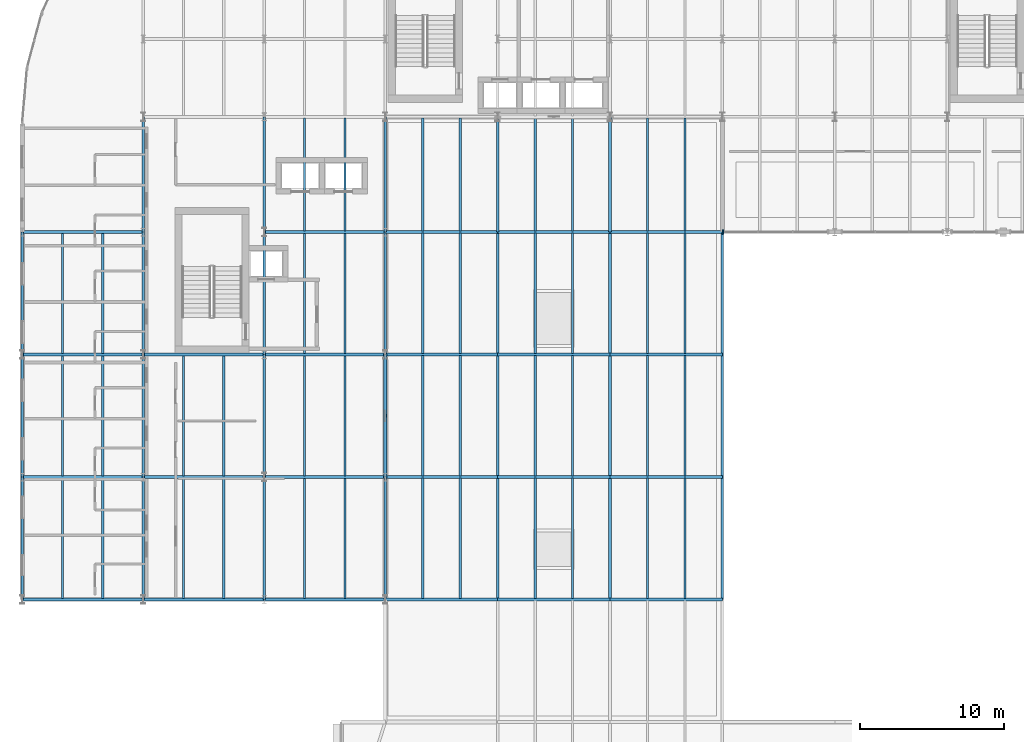
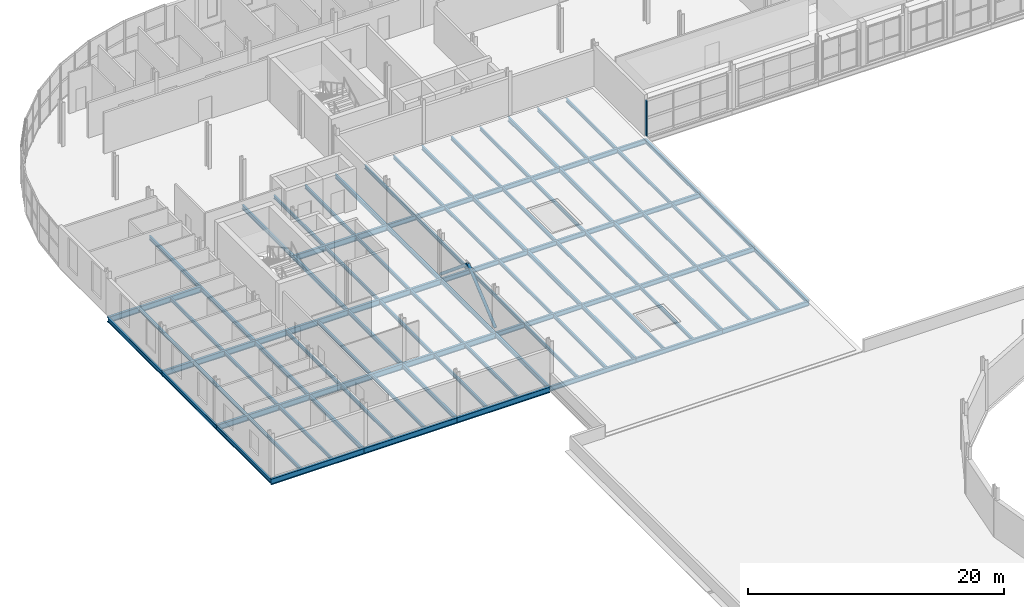
# One storey, part 18 of 58: 91 beams, 3 members, 1 element without a shape of its own.
"""IFC4 building model written with IfcOpenShell, lengths in metres."""

from ifc_helpers import new_model, si_unit, direction, frame, origin, origin_2d, place, context, subcontext, project, spatial, rectangle, hollow_circle, i_section, extrude, material, layer, layer_set, material_profile, profile_set, type_object, element, aggregate, save


model = new_model("IFC4")

# Units and contexts
model_context = context("Model", 3, precision=1e-05, world=origin(), true_north=direction((0.0, 1.0)))
body_context = subcontext(model_context, "Body", "Model", "MODEL_VIEW")
ifc_project = project(units=[si_unit("LENGTHUNIT", "METRE"), si_unit("AREAUNIT", "SQUARE_METRE"), si_unit("VOLUMEUNIT", "CUBIC_METRE"), si_unit("PLANEANGLEUNIT", "RADIAN"), si_unit("MASSUNIT", "GRAM", prefix="KILO")], contexts=[model_context])

# Site, building, storey
site_placement = place(None, origin())
site = spatial("IfcSite", under=ifc_project, at=site_placement, CompositionType="ELEMENT")
building_placement = place(site_placement, origin())
building = spatial("IfcBuilding", under=site, at=building_placement, Name="Sefraquen Railside Congress Hotel", CompositionType="ELEMENT")
storey_placement = place(building_placement, frame((0.0, 0.0, 16.199951171875)))
storey = spatial("IfcBuildingStorey", under=building, at=storey_placement, Name="L03", CompositionType="ELEMENT", Elevation=16.199951171875)

# Beams
ifc_material_1 = material(Name="Steel S355JR", Category="steel")
ifc_material_profile_1 = material_profile(ifc_material_1, i_section(OverallWidth=0.179931640625, OverallDepth=0.39990234375, WebThickness=0.008544921875, FlangeThickness=0.013427734375, FilletRadius=0.02099609375, at=origin_2d()), Name="IPE 400")
ifc_profile_set_1 = profile_set([ifc_material_profile_1], Name="Steel S355JR")
beam_type_1 = type_object("IfcBeamType", Name="TB-BM-400I", PredefinedType="BEAM", material=ifc_profile_set_1)
for number, where, z_axis, x_axis, name in (
    (1, (0.0, 62.5, -0.47998046875), (0.0, 1.0, 0.0), (-1.0, 0.0, 0.0), "Floor beam BM-L03-1129"),
    (2, (0.0, 71.0, -0.47998046875), (0.0, 1.0, 0.0), (-1.0, 0.0, 0.0), "Floor beam BM-L03-1130"),
    (3, (0.0, 79.5, -0.47998046875), (0.0, 1.0, 0.0), (-1.0, 0.0, 0.0), "Floor beam BM-L03-1131"),
    (4, (8.39990234375, 62.5, -0.47998046875), (0.0, 1.0, 0.0), (-1.0, 0.0, 0.0), "Floor beam BM-L03-1132"),
    (5, (8.39990234375, 71.0, -0.47998046875), (0.0, 1.0, 0.0), (-1.0, 0.0, 0.0), "Floor beam BM-L03-1133"),
    (6, (8.39990234375, 79.5, -0.47998046875), (0.0, 1.0, 0.0), (-1.0, 0.0, 0.0), "Floor beam BM-L03-1134"),
):
    element("IfcBeam", number, at=place(storey_placement, frame(where, z_axis=z_axis, x_axis=x_axis)), inside=storey, type_object=beam_type_1, Name=name, PredefinedType="BEAM", context=body_context, shape_type="SweptSolid", body=[
        extrude(i_section(OverallWidth=0.179931640625, OverallDepth=0.39990234375, WebThickness=0.008544921875, FlangeThickness=0.013427734375, FilletRadius=0.02099609375, at=origin_2d()), origin(), (0.0, 0.0, 1.0), 8.5),
    ])
beam_1_placement = place(storey_placement, frame((8.39990234375, 88.0, -0.47998046875), z_axis=(0.0, 1.0, 0.0), x_axis=(-1.0, 0.0, 0.0)))
element("IfcBeam", 7, at=beam_1_placement, inside=storey, type_object=beam_type_1, Name="Floor beam BM-L03-1135", PredefinedType="BEAM", context=body_context, shape_type="SweptSolid", body=[
    extrude(i_section(OverallWidth=0.179931640625, OverallDepth=0.39990234375, WebThickness=0.008544921875, FlangeThickness=0.013427734375, FilletRadius=0.02099609375, at=origin_2d()), origin(), (0.0, 0.0, 1.0), 8.0),
])
for number, where, z_axis, x_axis, name in (
    (8, (16.800048828125, 62.5, -0.47998046875), (0.0, 1.0, 0.0), (-1.0, 0.0, 0.0), "Floor beam BM-L03-1138"),
    (9, (16.800048828125, 71.0, -0.47998046875), (0.0, 1.0, 0.0), (-1.0, 0.0, 0.0), "Floor beam BM-L03-1139"),
    (10, (16.800048828125, 79.5, -0.47998046875), (0.0, 1.0, 0.0), (-1.0, 0.0, 0.0), "Floor beam BM-L03-1140"),
):
    element("IfcBeam", number, at=place(storey_placement, frame(where, z_axis=z_axis, x_axis=x_axis)), inside=storey, type_object=beam_type_1, Name=name, PredefinedType="BEAM", context=body_context, shape_type="SweptSolid", body=[
        extrude(i_section(OverallWidth=0.179931640625, OverallDepth=0.39990234375, WebThickness=0.008544921875, FlangeThickness=0.013427734375, FilletRadius=0.02099609375, at=origin_2d()), origin(), (0.0, 0.0, 1.0), 8.5),
    ])
beam_2_placement = place(storey_placement, frame((16.800048828125, 88.0, -0.47998046875), z_axis=(0.0, 1.0, 0.0), x_axis=(-1.0, 0.0, 0.0)))
element("IfcBeam", 11, at=beam_2_placement, inside=storey, type_object=beam_type_1, Name="Floor beam BM-L03-1141", PredefinedType="BEAM", context=body_context, shape_type="SweptSolid", body=[
    extrude(i_section(OverallWidth=0.179931640625, OverallDepth=0.39990234375, WebThickness=0.008544921875, FlangeThickness=0.013427734375, FilletRadius=0.02099609375, at=origin_2d()), origin(), (0.0, 0.0, 1.0), 8.0),
])
for number, where, z_axis, x_axis, name in (
    (12, (25.199951171875, 62.5, -0.47998046875), (0.0, 1.0, 0.0), (-1.0, 0.0, 0.0), "Floor beam BM-L03-1145"),
    (13, (25.199951171875, 71.0, -0.47998046875), (0.0, 1.0, 0.0), (-1.0, 0.0, 0.0), "Floor beam BM-L03-1146"),
    (14, (25.199951171875, 79.5, -0.47998046875), (0.0, 1.0, 0.0), (-1.0, 0.0, 0.0), "Floor beam BM-L03-1147"),
):
    element("IfcBeam", number, at=place(storey_placement, frame(where, z_axis=z_axis, x_axis=x_axis)), inside=storey, type_object=beam_type_1, Name=name, PredefinedType="BEAM", context=body_context, shape_type="SweptSolid", body=[
        extrude(i_section(OverallWidth=0.179931640625, OverallDepth=0.39990234375, WebThickness=0.008544921875, FlangeThickness=0.013427734375, FilletRadius=0.02099609375, at=origin_2d()), origin(), (0.0, 0.0, 1.0), 8.5),
    ])
beam_3_placement = place(storey_placement, frame((25.199951171875, 88.0, -0.47998046875), z_axis=(0.0, 1.0, 0.0), x_axis=(-1.0, 0.0, 0.0)))
element("IfcBeam", 15, at=beam_3_placement, inside=storey, type_object=beam_type_1, Name="Floor beam BM-L03-1148", PredefinedType="BEAM", context=body_context, shape_type="SweptSolid", body=[
    extrude(i_section(OverallWidth=0.179931640625, OverallDepth=0.39990234375, WebThickness=0.008544921875, FlangeThickness=0.013427734375, FilletRadius=0.02099609375, at=origin_2d()), origin(), (0.0, 0.0, 1.0), 8.0),
])
for number, where, z_axis, x_axis, name in (
    (16, (33.0, 62.5, -0.47998046875), (0.0, 1.0, 0.0), (-1.0, 0.0, 0.0), "Floor beam BM-L03-1157"),
    (17, (33.0, 71.0, -0.47998046875), (0.0, 1.0, 0.0), (-1.0, 0.0, 0.0), "Floor beam BM-L03-1158"),
    (18, (33.0, 79.5, -0.47998046875), (0.0, 1.0, 0.0), (-1.0, 0.0, 0.0), "Floor beam BM-L03-1159"),
):
    element("IfcBeam", number, at=place(storey_placement, frame(where, z_axis=z_axis, x_axis=x_axis)), inside=storey, type_object=beam_type_1, Name=name, PredefinedType="BEAM", context=body_context, shape_type="SweptSolid", body=[
        extrude(i_section(OverallWidth=0.179931640625, OverallDepth=0.39990234375, WebThickness=0.008544921875, FlangeThickness=0.013427734375, FilletRadius=0.02099609375, at=origin_2d()), origin(), (0.0, 0.0, 1.0), 8.5),
    ])
beam_4_placement = place(storey_placement, frame((33.0, 88.0, -0.47998046875), z_axis=(0.0, 1.0, 0.0), x_axis=(-1.0, 0.0, 0.0)))
element("IfcBeam", 19, at=beam_4_placement, inside=storey, type_object=beam_type_1, Name="Floor beam BM-L03-1160", PredefinedType="BEAM", context=body_context, shape_type="SweptSolid", body=[
    extrude(i_section(OverallWidth=0.179931640625, OverallDepth=0.39990234375, WebThickness=0.008544921875, FlangeThickness=0.013427734375, FilletRadius=0.02099609375, at=origin_2d()), origin(), (0.0, 0.0, 1.0), 8.0),
])
for number, where, z_axis, x_axis, name in (
    (20, (40.800048828125, 62.5, -0.47998046875), (0.0, 1.0, 0.0), (-1.0, 0.0, 0.0), "Floor beam BM-L03-1169"),
    (21, (40.800048828125, 71.0, -0.47998046875), (0.0, 1.0, 0.0), (-1.0, 0.0, 0.0), "Floor beam BM-L03-1170"),
    (22, (40.800048828125, 79.5, -0.47998046875), (0.0, 1.0, 0.0), (-1.0, 0.0, 0.0), "Floor beam BM-L03-1171"),
):
    element("IfcBeam", number, at=place(storey_placement, frame(where, z_axis=z_axis, x_axis=x_axis)), inside=storey, type_object=beam_type_1, Name=name, PredefinedType="BEAM", context=body_context, shape_type="SweptSolid", body=[
        extrude(i_section(OverallWidth=0.179931640625, OverallDepth=0.39990234375, WebThickness=0.008544921875, FlangeThickness=0.013427734375, FilletRadius=0.02099609375, at=origin_2d()), origin(), (0.0, 0.0, 1.0), 8.5),
    ])
beam_5_placement = place(storey_placement, frame((40.800048828125, 88.0, -0.47998046875), z_axis=(0.0, 1.0, 0.0), x_axis=(-1.0, 0.0, 0.0)))
element("IfcBeam", 23, at=beam_5_placement, inside=storey, type_object=beam_type_1, Name="Floor beam BM-L03-1172", PredefinedType="BEAM", context=body_context, shape_type="SweptSolid", body=[
    extrude(i_section(OverallWidth=0.179931640625, OverallDepth=0.39990234375, WebThickness=0.008544921875, FlangeThickness=0.013427734375, FilletRadius=0.02099609375, at=origin_2d()), origin(), (0.0, 0.0, 1.0), 8.0),
])
for number, where, z_axis, x_axis, name in (
    (24, (48.60009765625, 62.5, -0.47998046875), (0.0, 1.0, 0.0), (-1.0, 0.0, 0.0), "Floor beam BM-L03-1178"),
    (25, (48.60009765625, 71.0, -0.47998046875), (0.0, 1.0, 0.0), (-1.0, 0.0, 0.0), "Floor beam BM-L03-1179"),
    (26, (48.60009765625, 79.5, -0.47998046875), (0.0, 1.0, 0.0), (-1.0, 0.0, 0.0), "Floor beam BM-L03-1180"),
):
    element("IfcBeam", number, at=place(storey_placement, frame(where, z_axis=z_axis, x_axis=x_axis)), inside=storey, type_object=beam_type_1, Name=name, PredefinedType="BEAM", context=body_context, shape_type="SweptSolid", body=[
        extrude(i_section(OverallWidth=0.179931640625, OverallDepth=0.39990234375, WebThickness=0.008544921875, FlangeThickness=0.013427734375, FilletRadius=0.02099609375, at=origin_2d()), origin(), (0.0, 0.0, 1.0), 8.5),
    ])
ifc_material_profile_2 = material_profile(ifc_material_1, i_section(OverallWidth=0.18994140625, OverallDepth=0.449951171875, WebThickness=0.009521484375, FlangeThickness=0.0146484375, FilletRadius=0.02099609375, at=origin_2d()), Name="IPE 450")
ifc_profile_set_2 = profile_set([ifc_material_profile_2], Name="Steel S355JR")
beam_type_2 = type_object("IfcBeamType", Name="TB-BM-450", PredefinedType="BEAM", material=ifc_profile_set_2)
for number, where, z_axis, x_axis, name in (
    (27, (25.199951171875, 62.5, -0.5048828125), (1.0, 0.0, 0.0), (0.0, 1.0, 0.0), "Primary girder BM-L03-1031"),
    (28, (33.0, 62.5, -0.5048828125), (1.0, 0.0, 0.0), (0.0, 1.0, 0.0), "Primary girder BM-L03-1032"),
    (29, (40.800048828125, 62.5, -0.5048828125), (1.0, 0.0, 0.0), (0.0, 1.0, 0.0), "Primary girder BM-L03-1033"),
    (30, (25.199951171875, 71.0, -0.5048828125), (1.0, 0.0, 0.0), (0.0, 1.0, 0.0), "Primary girder BM-L03-1041"),
    (31, (33.0, 71.0, -0.5048828125), (1.0, 0.0, 0.0), (0.0, 1.0, 0.0), "Primary girder BM-L03-1042"),
    (32, (40.800048828125, 71.0, -0.5048828125), (1.0, 0.0, 0.0), (0.0, 1.0, 0.0), "Primary girder BM-L03-1043"),
    (33, (25.199951171875, 79.5, -0.5048828125), (1.0, 0.0, 0.0), (0.0, 1.0, 0.0), "Primary girder BM-L03-1049"),
    (34, (33.0, 79.5, -0.5048828125), (1.0, 0.0, 0.0), (0.0, 1.0, 0.0), "Primary girder BM-L03-1050"),
    (35, (40.800048828125, 79.5, -0.5048828125), (1.0, 0.0, 0.0), (0.0, 1.0, 0.0), "Primary girder BM-L03-1051"),
    (36, (25.199951171875, 88.0, -0.5048828125), (1.0, 0.0, 0.0), (0.0, 1.0, 0.0), "Primary girder BM-L03-1057"),
    (37, (33.0, 88.0, -0.5048828125), (1.0, 0.0, 0.0), (0.0, 1.0, 0.0), "Primary girder BM-L03-1058"),
    (38, (40.800048828125, 88.0, -0.5048828125), (1.0, 0.0, 0.0), (0.0, 1.0, 0.0), "Primary girder BM-L03-1059"),
):
    element("IfcBeam", number, at=place(storey_placement, frame(where, z_axis=z_axis, x_axis=x_axis)), inside=storey, type_object=beam_type_2, Name=name, PredefinedType="BEAM", context=body_context, shape_type="SweptSolid", body=[
        extrude(i_section(OverallWidth=0.18994140625, OverallDepth=0.449951171875, WebThickness=0.009521484375, FlangeThickness=0.0146484375, FilletRadius=0.02099609375, at=origin_2d()), origin(), (0.0, 0.0, 1.0), 7.800048828125),
    ])
ifc_material_profile_3 = material_profile(ifc_material_1, i_section(OverallWidth=0.2099609375, OverallDepth=0.550048828125, WebThickness=0.010986328125, FlangeThickness=0.01708984375, FilletRadius=0.02392578125, at=origin_2d()), Name="IPE 550")
ifc_profile_set_3 = profile_set([ifc_material_profile_3], Name="Steel S355JR")
beam_type_3 = type_object("IfcBeamType", Name="TB-GIR-550", PredefinedType="T_BEAM", material=ifc_profile_set_3)
beam_6_placement = place(storey_placement, frame((0.0, 62.5, -0.554931640625), z_axis=(1.0, 0.0, 0.0), x_axis=(0.0, 1.0, 0.0)))
element("IfcBeam", 39, at=beam_6_placement, inside=storey, type_object=beam_type_3, Name="Primary girder BM-L03-1028", PredefinedType="T_BEAM", context=body_context, shape_type="SweptSolid", body=[
    extrude(i_section(OverallWidth=0.2099609375, OverallDepth=0.550048828125, WebThickness=0.010986328125, FlangeThickness=0.01708984375, FilletRadius=0.02392578125, at=origin_2d()), origin(), (0.0, 0.0, 1.0), 8.39990234375),
])
beam_7_placement = place(storey_placement, frame((8.39990234375, 62.5, -0.554931640625), z_axis=(1.0, 0.0, 0.0), x_axis=(0.0, 1.0, 0.0)))
element("IfcBeam", 40, at=beam_7_placement, inside=storey, type_object=beam_type_3, Name="Primary girder BM-L03-1029", PredefinedType="T_BEAM", context=body_context, shape_type="SweptSolid", body=[
    extrude(i_section(OverallWidth=0.2099609375, OverallDepth=0.550048828125, WebThickness=0.010986328125, FlangeThickness=0.01708984375, FilletRadius=0.02392578125, at=origin_2d()), origin(), (0.0, 0.0, 1.0), 8.400146484375),
])
for number, where, z_axis, x_axis, name in (
    (41, (16.800048828125, 62.5, -0.554931640625), (1.0, 0.0, 0.0), (0.0, 1.0, 0.0), "Primary girder BM-L03-1030"),
    (42, (0.0, 71.0, -0.554931640625), (1.0, 0.0, 0.0), (0.0, 1.0, 0.0), "Primary girder BM-L03-1038"),
):
    element("IfcBeam", number, at=place(storey_placement, frame(where, z_axis=z_axis, x_axis=x_axis)), inside=storey, type_object=beam_type_3, Name=name, PredefinedType="T_BEAM", context=body_context, shape_type="SweptSolid", body=[
        extrude(i_section(OverallWidth=0.2099609375, OverallDepth=0.550048828125, WebThickness=0.010986328125, FlangeThickness=0.01708984375, FilletRadius=0.02392578125, at=origin_2d()), origin(), (0.0, 0.0, 1.0), 8.39990234375),
    ])
beam_8_placement = place(storey_placement, frame((8.39990234375, 71.0, -0.554931640625), z_axis=(1.0, 0.0, 0.0), x_axis=(0.0, 1.0, 0.0)))
element("IfcBeam", 43, at=beam_8_placement, inside=storey, type_object=beam_type_3, Name="Primary girder BM-L03-1039", PredefinedType="T_BEAM", context=body_context, shape_type="SweptSolid", body=[
    extrude(i_section(OverallWidth=0.2099609375, OverallDepth=0.550048828125, WebThickness=0.010986328125, FlangeThickness=0.01708984375, FilletRadius=0.02392578125, at=origin_2d()), origin(), (0.0, 0.0, 1.0), 8.400146484375),
])
for number, where, z_axis, x_axis, name in (
    (44, (16.800048828125, 71.0, -0.554931640625), (1.0, 0.0, 0.0), (0.0, 1.0, 0.0), "Primary girder BM-L03-1040"),
    (45, (0.0, 79.5, -0.554931640625), (1.0, 0.0, 0.0), (0.0, 1.0, 0.0), "Primary girder BM-L03-1046"),
):
    element("IfcBeam", number, at=place(storey_placement, frame(where, z_axis=z_axis, x_axis=x_axis)), inside=storey, type_object=beam_type_3, Name=name, PredefinedType="T_BEAM", context=body_context, shape_type="SweptSolid", body=[
        extrude(i_section(OverallWidth=0.2099609375, OverallDepth=0.550048828125, WebThickness=0.010986328125, FlangeThickness=0.01708984375, FilletRadius=0.02392578125, at=origin_2d()), origin(), (0.0, 0.0, 1.0), 8.39990234375),
    ])
beam_9_placement = place(storey_placement, frame((8.39990234375, 79.5, -0.554931640625), z_axis=(1.0, 0.0, 0.0), x_axis=(0.0, 1.0, 0.0)))
element("IfcBeam", 46, at=beam_9_placement, inside=storey, type_object=beam_type_3, Name="Primary girder BM-L03-1047", PredefinedType="T_BEAM", context=body_context, shape_type="SweptSolid", body=[
    extrude(i_section(OverallWidth=0.2099609375, OverallDepth=0.550048828125, WebThickness=0.010986328125, FlangeThickness=0.01708984375, FilletRadius=0.02392578125, at=origin_2d()), origin(), (0.0, 0.0, 1.0), 8.400146484375),
])
for number, where, z_axis, x_axis, name in (
    (47, (16.800048828125, 79.5, -0.554931640625), (1.0, 0.0, 0.0), (0.0, 1.0, 0.0), "Primary girder BM-L03-1048"),
    (48, (0.0, 88.0, -0.554931640625), (1.0, 0.0, 0.0), (0.0, 1.0, 0.0), "Primary girder BM-L03-1055"),
    (49, (16.800048828125, 88.0, -0.554931640625), (1.0, 0.0, 0.0), (0.0, 1.0, 0.0), "Primary girder BM-L03-1056"),
):
    element("IfcBeam", number, at=place(storey_placement, frame(where, z_axis=z_axis, x_axis=x_axis)), inside=storey, type_object=beam_type_3, Name=name, PredefinedType="T_BEAM", context=body_context, shape_type="SweptSolid", body=[
        extrude(i_section(OverallWidth=0.2099609375, OverallDepth=0.550048828125, WebThickness=0.010986328125, FlangeThickness=0.01708984375, FilletRadius=0.02392578125, at=origin_2d()), origin(), (0.0, 0.0, 1.0), 8.39990234375),
    ])
ifc_material_profile_4 = material_profile(ifc_material_1, i_section(OverallWidth=0.159912109375, OverallDepth=0.330078125, WebThickness=0.007568359375, FlangeThickness=0.011474609375, FilletRadius=0.01806640625, at=origin_2d()), Name="IPE 330")
ifc_profile_set_4 = profile_set([ifc_material_profile_4], Name="Steel S355JR")
beam_type_4 = type_object("IfcBeamType", Name="TB-JST-330", PredefinedType="JOIST", material=ifc_profile_set_4)
for number, where, z_axis, x_axis, name in (
    (50, (2.800048828125, 62.5849609375, -0.445068359375), (0.0, 1.0, 0.0), (-1.0, 0.0, 0.0), "Composite floor joist BM-L03-J0652"),
    (51, (5.60009765625, 62.5849609375, -0.445068359375), (0.0, 1.0, 0.0), (-1.0, 0.0, 0.0), "Composite floor joist BM-L03-J0653"),
    (52, (2.800048828125, 71.0849609375, -0.445068359375), (0.0, 1.0, 0.0), (-1.0, 0.0, 0.0), "Composite floor joist BM-L03-J0654"),
    (53, (5.60009765625, 71.0849609375, -0.445068359375), (0.0, 1.0, 0.0), (-1.0, 0.0, 0.0), "Composite floor joist BM-L03-J0655"),
    (54, (2.800048828125, 79.5849609375, -0.445068359375), (0.0, 1.0, 0.0), (-1.0, 0.0, 0.0), "Composite floor joist BM-L03-J0656"),
    (55, (5.60009765625, 79.5849609375, -0.445068359375), (0.0, 1.0, 0.0), (-1.0, 0.0, 0.0), "Composite floor joist BM-L03-J0657"),
    (56, (11.199951171875, 62.5849609375, -0.445068359375), (0.0, 1.0, 0.0), (-1.0, 0.0, 0.0), "Composite floor joist BM-L03-J0658"),
    (57, (14.0, 62.5849609375, -0.445068359375), (0.0, 1.0, 0.0), (-1.0, 0.0, 0.0), "Composite floor joist BM-L03-J0659"),
    (58, (11.199951171875, 71.0849609375, -0.445068359375), (0.0, 1.0, 0.0), (-1.0, 0.0, 0.0), "Composite floor joist BM-L03-J0660"),
    (59, (14.0, 71.0849609375, -0.445068359375), (0.0, 1.0, 0.0), (-1.0, 0.0, 0.0), "Composite floor joist BM-L03-J0661"),
    (60, (19.60009765625, 62.5849609375, -0.445068359375), (0.0, 1.0, 0.0), (-1.0, 0.0, 0.0), "Composite floor joist BM-L03-J0666"),
    (61, (22.39990234375, 62.5849609375, -0.445068359375), (0.0, 1.0, 0.0), (-1.0, 0.0, 0.0), "Composite floor joist BM-L03-J0667"),
    (62, (19.60009765625, 71.0849609375, -0.445068359375), (0.0, 1.0, 0.0), (-1.0, 0.0, 0.0), "Composite floor joist BM-L03-J0668"),
    (63, (22.39990234375, 71.0849609375, -0.445068359375), (0.0, 1.0, 0.0), (-1.0, 0.0, 0.0), "Composite floor joist BM-L03-J0669"),
    (64, (19.60009765625, 79.5849609375, -0.445068359375), (0.0, 1.0, 0.0), (-1.0, 0.0, 0.0), "Composite floor joist BM-L03-J0670"),
    (65, (22.39990234375, 79.5849609375, -0.445068359375), (0.0, 1.0, 0.0), (-1.0, 0.0, 0.0), "Composite floor joist BM-L03-J0671"),
):
    element("IfcBeam", number, at=place(storey_placement, frame(where, z_axis=z_axis, x_axis=x_axis)), inside=storey, type_object=beam_type_4, Name=name, PredefinedType="JOIST", context=body_context, shape_type="SweptSolid", body=[
        extrude(i_section(OverallWidth=0.159912109375, OverallDepth=0.330078125, WebThickness=0.007568359375, FlangeThickness=0.011474609375, FilletRadius=0.01806640625, at=origin_2d()), origin(), (0.0, 0.0, 1.0), 8.330078125),
    ])
for number, where, z_axis, x_axis, name in (
    (66, (19.60009765625, 88.0849609375, -0.445068359375), (0.0, 1.0, 0.0), (-1.0, 0.0, 0.0), "Composite floor joist BM-L03-J0672"),
    (67, (22.39990234375, 88.0849609375, -0.445068359375), (0.0, 1.0, 0.0), (-1.0, 0.0, 0.0), "Composite floor joist BM-L03-J0673"),
):
    element("IfcBeam", number, at=place(storey_placement, frame(where, z_axis=z_axis, x_axis=x_axis)), inside=storey, type_object=beam_type_4, Name=name, PredefinedType="JOIST", context=body_context, shape_type="SweptSolid", body=[
        extrude(i_section(OverallWidth=0.159912109375, OverallDepth=0.330078125, WebThickness=0.007568359375, FlangeThickness=0.011474609375, FilletRadius=0.01806640625, at=origin_2d()), origin(), (0.0, 0.0, 1.0), 7.830078125),
    ])
for number, where, z_axis, x_axis, name in (
    (68, (27.800048828125, 62.574951171875, -0.445068359375), (0.0, 1.0, 0.0), (-1.0, 0.0, 0.0), "Composite floor joist BM-L03-J0678"),
    (69, (30.39990234375, 62.574951171875, -0.445068359375), (0.0, 1.0, 0.0), (-1.0, 0.0, 0.0), "Composite floor joist BM-L03-J0679"),
    (70, (27.800048828125, 71.074951171875, -0.445068359375), (0.0, 1.0, 0.0), (-1.0, 0.0, 0.0), "Composite floor joist BM-L03-J0680"),
    (71, (30.39990234375, 71.074951171875, -0.445068359375), (0.0, 1.0, 0.0), (-1.0, 0.0, 0.0), "Composite floor joist BM-L03-J0681"),
    (72, (27.800048828125, 79.574951171875, -0.445068359375), (0.0, 1.0, 0.0), (-1.0, 0.0, 0.0), "Composite floor joist BM-L03-J0682"),
    (73, (30.39990234375, 79.574951171875, -0.445068359375), (0.0, 1.0, 0.0), (-1.0, 0.0, 0.0), "Composite floor joist BM-L03-J0683"),
):
    element("IfcBeam", number, at=place(storey_placement, frame(where, z_axis=z_axis, x_axis=x_axis)), inside=storey, type_object=beam_type_4, Name=name, PredefinedType="JOIST", context=body_context, shape_type="SweptSolid", body=[
        extrude(i_section(OverallWidth=0.159912109375, OverallDepth=0.330078125, WebThickness=0.007568359375, FlangeThickness=0.011474609375, FilletRadius=0.01806640625, at=origin_2d()), origin(), (0.0, 0.0, 1.0), 8.35009765625),
    ])
for number, where, z_axis, x_axis, name in (
    (74, (27.800048828125, 88.074951171875, -0.445068359375), (0.0, 1.0, 0.0), (-1.0, 0.0, 0.0), "Composite floor joist BM-L03-J0684"),
    (75, (30.39990234375, 88.074951171875, -0.445068359375), (0.0, 1.0, 0.0), (-1.0, 0.0, 0.0), "Composite floor joist BM-L03-J0685"),
):
    element("IfcBeam", number, at=place(storey_placement, frame(where, z_axis=z_axis, x_axis=x_axis)), inside=storey, type_object=beam_type_4, Name=name, PredefinedType="JOIST", context=body_context, shape_type="SweptSolid", body=[
        extrude(i_section(OverallWidth=0.159912109375, OverallDepth=0.330078125, WebThickness=0.007568359375, FlangeThickness=0.011474609375, FilletRadius=0.01806640625, at=origin_2d()), origin(), (0.0, 0.0, 1.0), 7.85009765625),
    ])
for number, where, z_axis, x_axis, name in (
    (76, (35.60009765625, 62.574951171875, -0.445068359375), (0.0, 1.0, 0.0), (-1.0, 0.0, 0.0), "Composite floor joist BM-L03-J0698"),
    (77, (38.199951171875, 62.574951171875, -0.445068359375), (0.0, 1.0, 0.0), (-1.0, 0.0, 0.0), "Composite floor joist BM-L03-J0699"),
    (78, (35.60009765625, 71.074951171875, -0.445068359375), (0.0, 1.0, 0.0), (-1.0, 0.0, 0.0), "Composite floor joist BM-L03-J0700"),
    (79, (38.199951171875, 71.074951171875, -0.445068359375), (0.0, 1.0, 0.0), (-1.0, 0.0, 0.0), "Composite floor joist BM-L03-J0701"),
    (80, (35.60009765625, 79.574951171875, -0.445068359375), (0.0, 1.0, 0.0), (-1.0, 0.0, 0.0), "Composite floor joist BM-L03-J0702"),
    (81, (38.199951171875, 79.574951171875, -0.445068359375), (0.0, 1.0, 0.0), (-1.0, 0.0, 0.0), "Composite floor joist BM-L03-J0703"),
):
    element("IfcBeam", number, at=place(storey_placement, frame(where, z_axis=z_axis, x_axis=x_axis)), inside=storey, type_object=beam_type_4, Name=name, PredefinedType="JOIST", context=body_context, shape_type="SweptSolid", body=[
        extrude(i_section(OverallWidth=0.159912109375, OverallDepth=0.330078125, WebThickness=0.007568359375, FlangeThickness=0.011474609375, FilletRadius=0.01806640625, at=origin_2d()), origin(), (0.0, 0.0, 1.0), 8.35009765625),
    ])
for number, where, z_axis, x_axis, name in (
    (82, (35.60009765625, 88.074951171875, -0.445068359375), (0.0, 1.0, 0.0), (-1.0, 0.0, 0.0), "Composite floor joist BM-L03-J0704"),
    (83, (38.199951171875, 88.074951171875, -0.445068359375), (0.0, 1.0, 0.0), (-1.0, 0.0, 0.0), "Composite floor joist BM-L03-J0705"),
):
    element("IfcBeam", number, at=place(storey_placement, frame(where, z_axis=z_axis, x_axis=x_axis)), inside=storey, type_object=beam_type_4, Name=name, PredefinedType="JOIST", context=body_context, shape_type="SweptSolid", body=[
        extrude(i_section(OverallWidth=0.159912109375, OverallDepth=0.330078125, WebThickness=0.007568359375, FlangeThickness=0.011474609375, FilletRadius=0.01806640625, at=origin_2d()), origin(), (0.0, 0.0, 1.0), 7.85009765625),
    ])
for number, where, z_axis, x_axis, name in (
    (84, (43.39990234375, 62.574951171875, -0.445068359375), (0.0, 1.0, 0.0), (-1.0, 0.0, 0.0), "Composite floor joist BM-L03-J0716"),
    (85, (46.0, 62.574951171875, -0.445068359375), (0.0, 1.0, 0.0), (-1.0, 0.0, 0.0), "Composite floor joist BM-L03-J0717"),
    (86, (43.39990234375, 71.074951171875, -0.445068359375), (0.0, 1.0, 0.0), (-1.0, 0.0, 0.0), "Composite floor joist BM-L03-J0718"),
    (87, (46.0, 71.074951171875, -0.445068359375), (0.0, 1.0, 0.0), (-1.0, 0.0, 0.0), "Composite floor joist BM-L03-J0719"),
    (88, (43.39990234375, 79.574951171875, -0.445068359375), (0.0, 1.0, 0.0), (-1.0, 0.0, 0.0), "Composite floor joist BM-L03-J0720"),
    (89, (46.0, 79.574951171875, -0.445068359375), (0.0, 1.0, 0.0), (-1.0, 0.0, 0.0), "Composite floor joist BM-L03-J0721"),
):
    element("IfcBeam", number, at=place(storey_placement, frame(where, z_axis=z_axis, x_axis=x_axis)), inside=storey, type_object=beam_type_4, Name=name, PredefinedType="JOIST", context=body_context, shape_type="SweptSolid", body=[
        extrude(i_section(OverallWidth=0.159912109375, OverallDepth=0.330078125, WebThickness=0.007568359375, FlangeThickness=0.011474609375, FilletRadius=0.01806640625, at=origin_2d()), origin(), (0.0, 0.0, 1.0), 8.35009765625),
    ])
for number, where, z_axis, x_axis, name in (
    (90, (43.39990234375, 88.074951171875, -0.445068359375), (0.0, 1.0, 0.0), (-1.0, 0.0, 0.0), "Composite floor joist BM-L03-J0722"),
    (91, (46.0, 88.074951171875, -0.445068359375), (0.0, 1.0, 0.0), (-1.0, 0.0, 0.0), "Composite floor joist BM-L03-J0723"),
):
    element("IfcBeam", number, at=place(storey_placement, frame(where, z_axis=z_axis, x_axis=x_axis)), inside=storey, type_object=beam_type_4, Name=name, PredefinedType="JOIST", context=body_context, shape_type="SweptSolid", body=[
        extrude(i_section(OverallWidth=0.159912109375, OverallDepth=0.330078125, WebThickness=0.007568359375, FlangeThickness=0.011474609375, FilletRadius=0.01806640625, at=origin_2d()), origin(), (0.0, 0.0, 1.0), 7.85009765625),
    ])

# Members
ifc_material_2 = material(Name="Steel S355J2", Category="steel")
ifc_material_profile_5 = material_profile(ifc_material_2, hollow_circle(Radius=0.136474609375, WallThickness=0.012451171875, at=origin_2d()), Name="CHS 273x12.5")
ifc_profile_set_5 = profile_set([ifc_material_profile_5], Name="Steel S355J2")
member_type_1 = type_object("IfcMemberType", Name="TM-BR-273", PredefinedType="BRACE", material=ifc_profile_set_5)
for number, where, z_axis, x_axis, name in (
    (92, (25.199951171875, 71.0, 0.150146484375), (0.0, 0.77014698826, 0.637866456614), (-1.0, 0.0, 0.0), "Chevron braced-frame diagonal BF2-L L03"),
    (93, (25.199951171875, 79.5, 0.150146484375), (0.0, -0.77014698826, 0.637866456614), (1.0, 0.0, 0.0), "Chevron braced-frame diagonal BF2-R L03"),
):
    element("IfcMember", number, at=place(storey_placement, frame(where, z_axis=z_axis, x_axis=x_axis)), inside=storey, type_object=member_type_1, Name=name, PredefinedType="BRACE", context=body_context, shape_type="SweptSolid", body=[
        extrude(hollow_circle(Radius=0.136474609375, WallThickness=0.012451171875, at=origin_2d()), origin(), (0.0, 0.0, 1.0), 5.518310546875),
    ])

# Curtain wall, member
ifc_material_3 = material(Name="Thermally broken anodised aluminium and low-E double glazing", Category="aluminium")
ifc_layer = layer(ifc_material_3, 0.199951171875)
ifc_layer_set = layer_set([ifc_layer], Name="Thermally broken anodised aluminium and low-E double glazing")
curtain_wall_type = type_object("IfcCurtainWallType", Name="TCW-UCW-32", PredefinedType="USERDEFINED", material=ifc_layer_set)
curtain_wall_placement = place(storey_placement, origin())
curtain_wall = element("IfcCurtainWall", 94, at=curtain_wall_placement, inside=storey, type_object=curtain_wall_type, Name="Meeting Wing L03 courtyard north curtain wall 1", ObjectType="UNITISED CURTAIN WALL", PredefinedType="USERDEFINED")
ifc_material_4 = material(Name="Thermally broken anodised aluminium 6063-T6", Category="aluminium")
ifc_material_profile_6 = material_profile(ifc_material_4, rectangle(XDim=0.094970703125, YDim=0.300048828125, at=origin_2d()), Name="CWM 95x300")
ifc_profile_set_6 = profile_set([ifc_material_profile_6], Name="Thermally broken anodised aluminium 6063-T6")
member_type_2 = type_object("IfcMemberType", Name="TM-CWM-08", PredefinedType="MULLION", material=ifc_profile_set_6)
member_placement = place(storey_placement, frame((48.639892578125, 88.0, 0.0), z_axis=(0.0, 0.0, 1.0), x_axis=(1.0, 0.0, 0.0)))
member = element("IfcMember", 95, at=member_placement, type_object=member_type_2, Name="CW-L03-064 mullion 1", PredefinedType="MULLION", context=body_context, shape_type="SweptSolid", body=[
    extrude(rectangle(XDim=0.094970703125, YDim=0.300048828125, at=origin_2d()), origin(), (0.0, 0.0, 1.0), 3.3701171875),
])
aggregate(curtain_wall, [member])

save(model, "model.ifc")
